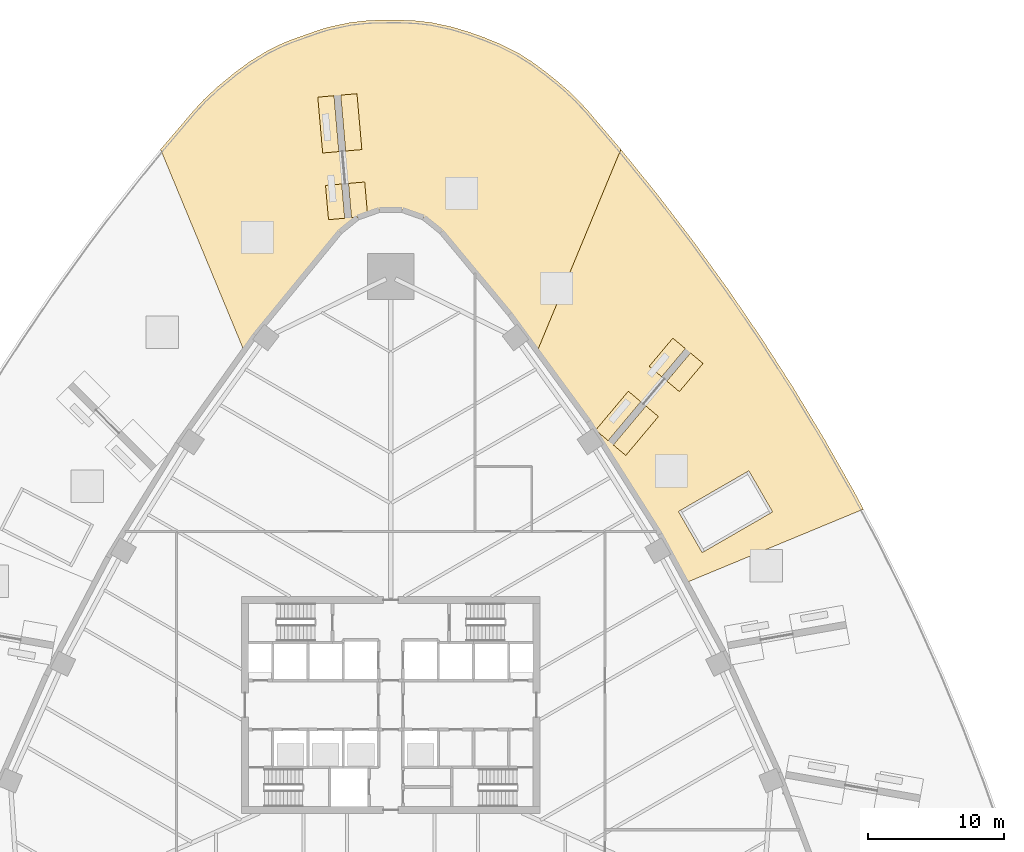
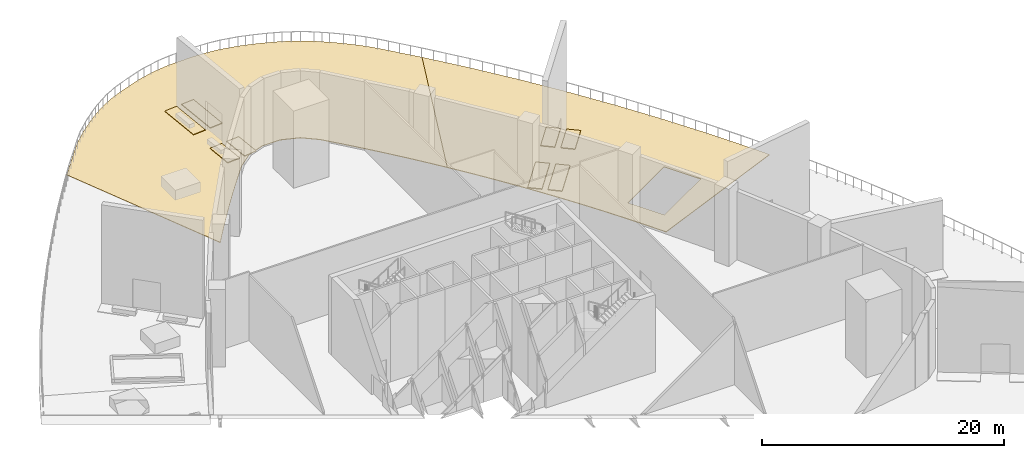
# One storey, part 19 of 20: 10 coverings.
"""IFC4 building model written with IfcOpenShell, lengths in metres."""

from ifc_helpers import new_model, si_unit, direction, frame, origin, place, context, subcontext, project, spatial, polyline, outline, extrude, material, layer, layer_set, type_object, element, save


model = new_model("IFC4")

# Units and contexts
model_context = context("Model", 3, precision=1e-05, world=origin(), true_north=direction((0.0, 1.0)))
body_context = subcontext(model_context, "Body", "Model", "MODEL_VIEW")
ifc_project = project(units=[si_unit("LENGTHUNIT", "METRE"), si_unit("AREAUNIT", "SQUARE_METRE"), si_unit("VOLUMEUNIT", "CUBIC_METRE"), si_unit("PLANEANGLEUNIT", "RADIAN"), si_unit("MASSUNIT", "GRAM", prefix="KILO")], contexts=[model_context])

# Site, building, storey
site_placement = place(None, origin())
site = spatial("IfcSite", under=ifc_project, at=site_placement, CompositionType="ELEMENT")
building_placement = place(site_placement, origin())
building = spatial("IfcBuilding", under=site, at=building_placement, Name="Sierra Prisma Convention Tower", CompositionType="ELEMENT")
storey_placement = place(building_placement, frame((0.0, 0.0, 9.0)))
storey = spatial("IfcBuildingStorey", under=building, at=storey_placement, Name="L01", CompositionType="ELEMENT", Elevation=9.0)

# Coverings
ifc_material_1 = material(Name="Natural limestone pavers", Category="masonry")
ifc_layer_1 = layer(ifc_material_1, 0.06005859375)
ifc_layer_set_1 = layer_set([ifc_layer_1], Name="Deck paving, stone pavers")
covering_type_1 = type_object("IfcCoveringType", Name="Deck paving, stone pavers", PredefinedType="FLOORING", material=ifc_layer_set_1)
covering_1_placement = place(storey_placement, frame((0.0, 0.0, -0.06005859375)))
element("IfcCovering", 1, at=covering_1_placement, inside=storey, type_object=covering_type_1, Name="Deck paving 4", PredefinedType="FLOORING", context=body_context, shape_type="SweptSolid", body=[
    extrude(outline(polyline([(16.971435546875, 40.972900390625), (10.836669921875, 26.162109375), (11.175048828125, 25.713623046875), (12.337646484375, 24.126953125), (13.478515625, 22.52490234375), (14.597412109375, 20.907470703125), (15.6943359375, 19.27490234375), (16.76904296875, 17.62744140625), (17.821044921875, 15.9658203125), (18.8505859375, 14.289794921875), (19.85693359375, 12.60009765625), (20.84033203125, 10.896728515625), (21.800537109375, 9.18017578125), (21.866943359375, 9.0576171875), (34.8603515625, 14.439697265625), (34.127197265625, 15.81787109375), (31.964111328125, 19.62939453125), (29.732666015625, 23.32177734375), (27.4013671875, 26.952392578125), (24.90185546875, 30.6181640625), (22.3740234375, 34.114501953125), (19.709716796875, 37.593994140625), (16.993896484375, 40.946533203125), (16.971435546875, 40.972900390625)]), holes=[polyline([(22.96630859375, 11.239013671875), (21.21630859375, 14.27001953125), (26.412353515625, 17.270263671875), (28.162353515625, 14.239013671875), (22.96630859375, 11.239013671875)])]), origin(), (0.0, 0.0, 1.0), 0.06005859375),
])
covering_2_placement = place(storey_placement, frame((0.0, 0.0, -0.06005859375)))
element("IfcCovering", 2, at=covering_2_placement, inside=storey, type_object=covering_type_1, Name="Deck paving 5", PredefinedType="FLOORING", context=body_context, shape_type="SweptSolid", body=[
    extrude(outline(polyline([(-16.971435546875, 40.972900390625), (-10.836669921875, 26.162109375), (-9.990966796875, 27.283935546875), (-8.78564453125, 28.83837890625), (-7.559326171875, 30.3759765625), (-6.31201171875, 31.89697265625), (-5.04443359375, 33.400634765625), (-3.75634765625, 34.886962890625), (-2.440673828125, 35.95068359375), (-0.845947265625, 36.514892578125), (0.845947265625, 36.514892578125), (2.440673828125, 35.95068359375), (3.75634765625, 34.886962890625), (5.04443359375, 33.400634765625), (6.31201171875, 31.89697265625), (7.559326171875, 30.3759765625), (8.78564453125, 28.83837890625), (9.990966796875, 27.283935546875), (10.836669921875, 26.162109375), (16.971435546875, 40.972900390625), (14.481201171875, 43.888427734375), (13.789794921875, 44.632568359375), (13.154296875, 45.24658203125), (12.38720703125, 45.912353515625), (11.4638671875, 46.658935546875), (10.41650390625, 47.431640625), (9.4609375, 48.03955078125), (8.048828125, 48.755859375), (6.84228515625, 49.243896484375), (5.781494140625, 49.618896484375), (4.53662109375, 49.998291015625), (2.988037109375, 50.3291015625), (1.86279296875, 50.457275390625), (0.5625, 50.514892578125), (-1.12890625, 50.498779296875), (-1.86279296875, 50.457275390625), (-2.988037109375, 50.3291015625), (-4.53662109375, 49.998291015625), (-5.242431640625, 49.792724609375), (-7.370849609375, 49.039794921875), (-8.048828125, 48.755859375), (-9.067138671875, 48.260009765625), (-10.41650390625, 47.431640625), (-11.4638671875, 46.658935546875), (-12.724609375, 45.626953125), (-13.789794921875, 44.632568359375), (-14.481201171875, 43.888427734375), (-16.971435546875, 40.972900390625)])), origin(), (0.0, 0.0, 1.0), 0.06005859375),
])
ifc_material_2 = material(Name="Crushed limestone gravel", Category="masonry")
ifc_layer_2 = layer(ifc_material_2, 0.050048828125)
ifc_layer_set_2 = layer_set([ifc_layer_2], Name="Gravel border")
covering_type_2 = type_object("IfcCoveringType", Name="Gravel border", PredefinedType="FLOORING", material=ifc_layer_set_2)
covering_3_placement = place(storey_placement, origin())
element("IfcCovering", 3, at=covering_3_placement, inside=storey, type_object=covering_type_2, Name="Wind-scour gravel border", PredefinedType="FLOORING", context=body_context, shape_type="SweptSolid", body=[
    extrude(outline(polyline([(16.033935546875, 19.497314453125), (18.4404296875, 22.365234375), (17.52099609375, 23.13671875), (15.114501953125, 20.268798828125), (16.033935546875, 19.497314453125)])), origin(), (0.0, 0.0, 1.0), 0.050048828125),
])
covering_4_placement = place(storey_placement, origin())
element("IfcCovering", 4, at=covering_4_placement, inside=storey, type_object=covering_type_2, Name="Wind-scour gravel border", PredefinedType="FLOORING", context=body_context, shape_type="SweptSolid", body=[
    extrude(outline(polyline([(16.4169921875, 19.17578125), (18.823486328125, 22.0439453125), (19.74267578125, 21.272705078125), (17.336181640625, 18.404541015625), (16.4169921875, 19.17578125)])), origin(), (0.0, 0.0, 1.0), 0.050048828125),
])
covering_5_placement = place(storey_placement, origin())
element("IfcCovering", 5, at=covering_5_placement, inside=storey, type_object=covering_type_2, Name="Wind-scour gravel border", PredefinedType="FLOORING", context=body_context, shape_type="SweptSolid", body=[
    extrude(outline(polyline([(19.983154296875, 24.203857421875), (21.7255859375, 26.28076171875), (20.806396484375, 27.052001953125), (19.063720703125, 24.97509765625), (19.983154296875, 24.203857421875)])), origin(), (0.0, 0.0, 1.0), 0.050048828125),
])
covering_6_placement = place(storey_placement, origin())
element("IfcCovering", 6, at=covering_6_placement, inside=storey, type_object=covering_type_2, Name="Wind-scour gravel border", PredefinedType="FLOORING", context=body_context, shape_type="SweptSolid", body=[
    extrude(outline(polyline([(20.3662109375, 23.88232421875), (22.10888671875, 25.959228515625), (23.028076171875, 25.18798828125), (21.285400390625, 23.111083984375), (20.3662109375, 23.88232421875)])), origin(), (0.0, 0.0, 1.0), 0.050048828125),
])
covering_7_placement = place(storey_placement, origin())
element("IfcCovering", 7, at=covering_7_placement, inside=storey, type_object=covering_type_2, Name="Wind-scour gravel border", PredefinedType="FLOORING", context=body_context, shape_type="SweptSolid", body=[
    extrude(outline(polyline([(-3.391357421875, 35.89501953125), (-3.6123046875, 38.419921875), (-4.8076171875, 38.3154296875), (-4.5869140625, 35.790283203125), (-3.391357421875, 35.89501953125)])), origin(), (0.0, 0.0, 1.0), 0.050048828125),
])
covering_8_placement = place(storey_placement, origin())
element("IfcCovering", 8, at=covering_8_placement, inside=storey, type_object=covering_type_2, Name="Wind-scour gravel border", PredefinedType="FLOORING", context=body_context, shape_type="SweptSolid", body=[
    extrude(outline(polyline([(-2.893310546875, 35.938720703125), (-3.1142578125, 38.463623046875), (-1.918701171875, 38.568115234375), (-1.69775390625, 36.043212890625), (-2.893310546875, 35.938720703125)])), origin(), (0.0, 0.0, 1.0), 0.050048828125),
])
covering_9_placement = place(storey_placement, origin())
element("IfcCovering", 9, at=covering_9_placement, inside=storey, type_object=covering_type_2, Name="Wind-scour gravel border", PredefinedType="FLOORING", context=body_context, shape_type="SweptSolid", body=[
    extrude(outline(polyline([(-3.8212890625, 40.810791015625), (-4.181884765625, 44.9306640625), (-5.377197265625, 44.826171875), (-5.016845703125, 40.706298828125), (-3.8212890625, 40.810791015625)])), origin(), (0.0, 0.0, 1.0), 0.050048828125),
])
covering_10_placement = place(storey_placement, origin())
element("IfcCovering", 10, at=covering_10_placement, inside=storey, type_object=covering_type_2, Name="Wind-scour gravel border", PredefinedType="FLOORING", context=body_context, shape_type="SweptSolid", body=[
    extrude(outline(polyline([(-3.3232421875, 40.8544921875), (-3.683837890625, 44.97412109375), (-2.48828125, 45.078857421875), (-2.1279296875, 40.958984375), (-3.3232421875, 40.8544921875)])), origin(), (0.0, 0.0, 1.0), 0.050048828125),
])

save(model, "model.ifc")
